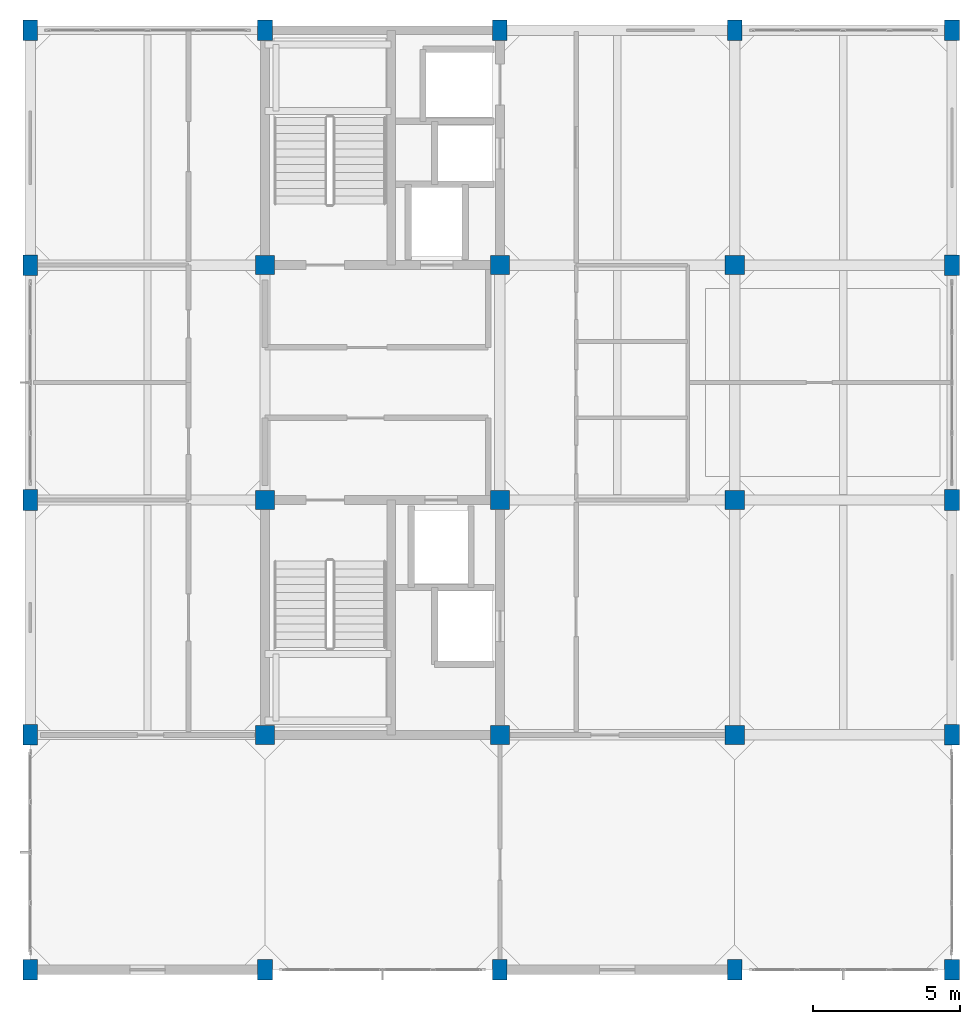
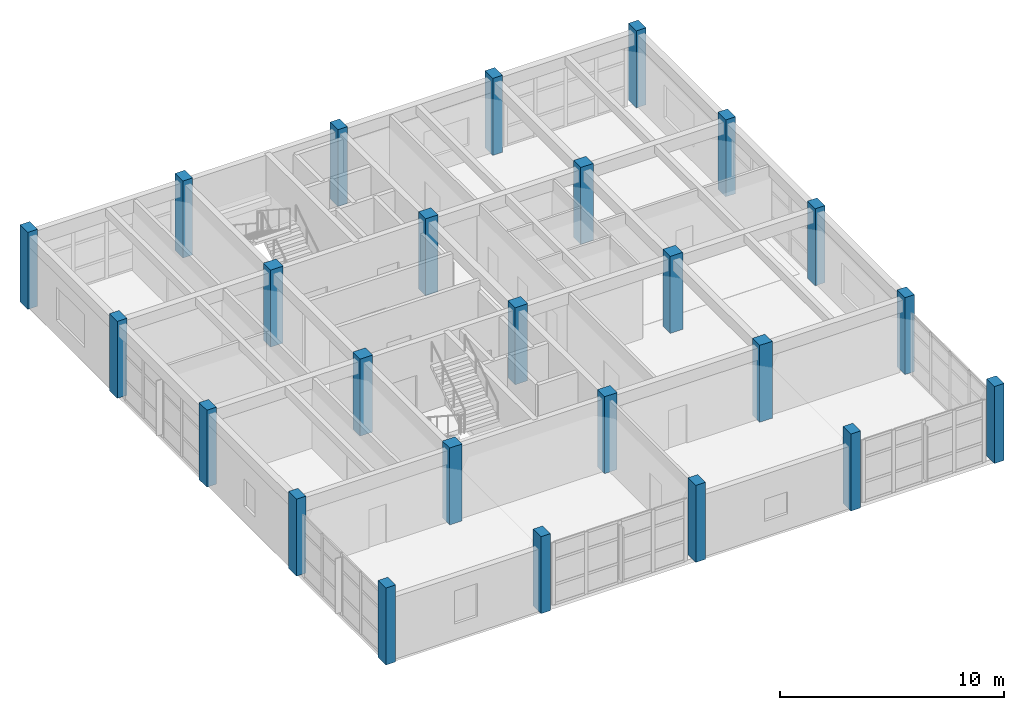
# One storey, part 1 of 18: 25 columns.
"""IFC4 building model written with IfcOpenShell, lengths in metres."""

from ifc_helpers import new_model, si_unit, direction, frame, origin, origin_2d, place, context, subcontext, project, spatial, rectangle, extrude, material, material_profile, profile_set, type_object, element, save


model = new_model("IFC4")

# Units and contexts
model_context = context("Model", 3, precision=1e-05, world=origin(), true_north=direction((0.0, 1.0)))
body_context = subcontext(model_context, "Body", "Model", "MODEL_VIEW")
ifc_project = project(units=[si_unit("LENGTHUNIT", "METRE"), si_unit("AREAUNIT", "SQUARE_METRE"), si_unit("VOLUMEUNIT", "CUBIC_METRE"), si_unit("PLANEANGLEUNIT", "RADIAN"), si_unit("MASSUNIT", "GRAM", prefix="KILO")], contexts=[model_context])

# Site, building, storey
site_placement = place(None, origin())
site = spatial("IfcSite", under=ifc_project, at=site_placement, CompositionType="ELEMENT")
building_placement = place(site_placement, origin())
building = spatial("IfcBuilding", under=site, at=building_placement, Name="Canggui Botanical Conservatory", CompositionType="ELEMENT")
storey_placement = place(building_placement, frame((0.0, 0.0, 52.800048828125)))
storey = spatial("IfcBuildingStorey", under=building, at=storey_placement, Name="L13", CompositionType="ELEMENT", Elevation=52.800048828125)

# Columns
ifc_material = material(Name="Concrete C35", Category="concrete")
ifc_material_profile_1 = material_profile(ifc_material, rectangle(XDim=0.64990234375, YDim=0.64990234375, at=origin_2d()), Name="RC 650x650")
ifc_profile_set_1 = profile_set([ifc_material_profile_1], Name="Concrete C35")
column_type_1 = type_object("IfcColumnType", Name="COL-KZ10", PredefinedType="COLUMN", material=ifc_profile_set_1)
for number, where, z_axis, x_axis, name in (
    (1, (154.0, 42.0, 0.0), (0.0, 0.0, 1.0), (1.0, 0.0, 0.0), "Tower RC Column L13 (154,42)"),
    (2, (154.0, 50.0, 0.0), (0.0, 0.0, 1.0), (1.0, 0.0, 0.0), "Tower RC Column L13 (154,50)"),
    (3, (154.0, 58.0, 0.0), (0.0, 0.0, 1.0), (1.0, 0.0, 0.0), "Tower RC Column L13 (154,58)"),
    (4, (162.0, 42.0, 0.0), (0.0, 0.0, 1.0), (1.0, 0.0, 0.0), "Tower RC Column L13 (162,42)"),
    (5, (162.0, 50.0, 0.0), (0.0, 0.0, 1.0), (1.0, 0.0, 0.0), "Tower RC Column L13 (162,50)"),
    (6, (162.0, 58.0, 0.0), (0.0, 0.0, 1.0), (1.0, 0.0, 0.0), "Tower RC Column L13 (162,58)"),
    (7, (170.0, 42.0, 0.0), (0.0, 0.0, 1.0), (1.0, 0.0, 0.0), "Tower RC Column L13 (170,42)"),
    (8, (170.0, 50.0, 0.0), (0.0, 0.0, 1.0), (1.0, 0.0, 0.0), "Tower RC Column L13 (170,50)"),
    (9, (170.0, 58.0, 0.0), (0.0, 0.0, 1.0), (1.0, 0.0, 0.0), "Tower RC Column L13 (170,58)"),
):
    element("IfcColumn", number, at=place(storey_placement, frame(where, z_axis=z_axis, x_axis=x_axis)), inside=storey, type_object=column_type_1, Name=name, PredefinedType="COLUMN", context=body_context, shape_type="SweptSolid", body=[
        extrude(rectangle(XDim=0.64990234375, YDim=0.64990234375, at=origin_2d()), origin(), (0.0, 0.0, 1.0), 4.199951171875),
    ])
ifc_material_profile_2 = material_profile(ifc_material, rectangle(XDim=0.5, YDim=0.699951171875, at=origin_2d()), Name="RC 500x700")
ifc_profile_set_2 = profile_set([ifc_material_profile_2], Name="Concrete C35")
column_type_2 = type_object("IfcColumnType", Name="COL-KZ18", PredefinedType="COLUMN", material=ifc_profile_set_2)
for number, where, z_axis, x_axis, name in (
    (10, (146.0, 34.0, 0.0), (0.0, 0.0, 1.0), (1.0, 0.0, 0.0), "Tower RC Column L13 (146,34)"),
    (11, (146.0, 42.0, 0.0), (0.0, 0.0, 1.0), (1.0, 0.0, 0.0), "Tower RC Column L13 (146,42)"),
    (12, (146.0, 50.0, 0.0), (0.0, 0.0, 1.0), (1.0, 0.0, 0.0), "Tower RC Column L13 (146,50)"),
    (13, (146.0, 58.0, 0.0), (0.0, 0.0, 1.0), (1.0, 0.0, 0.0), "Tower RC Column L13 (146,58)"),
    (14, (146.0, 66.0, 0.0), (0.0, 0.0, 1.0), (1.0, 0.0, 0.0), "Tower RC Column L13 (146,66)"),
    (15, (154.0, 34.0, 0.0), (0.0, 0.0, 1.0), (1.0, 0.0, 0.0), "Tower RC Column L13 (154,34)"),
    (16, (154.0, 66.0, 0.0), (0.0, 0.0, 1.0), (1.0, 0.0, 0.0), "Tower RC Column L13 (154,66)"),
    (17, (162.0, 34.0, 0.0), (0.0, 0.0, 1.0), (1.0, 0.0, 0.0), "Tower RC Column L13 (162,34)"),
    (18, (162.0, 66.0, 0.0), (0.0, 0.0, 1.0), (1.0, 0.0, 0.0), "Tower RC Column L13 (162,66)"),
    (19, (170.0, 34.0, 0.0), (0.0, 0.0, 1.0), (1.0, 0.0, 0.0), "Tower RC Column L13 (170,34)"),
    (20, (170.0, 66.0, 0.0), (0.0, 0.0, 1.0), (1.0, 0.0, 0.0), "Tower RC Column L13 (170,66)"),
    (21, (177.39990234375, 34.0, 0.0), (0.0, 0.0, 1.0), (1.0, 0.0, 0.0), "Tower RC Column L13 (178,34)"),
    (22, (177.39990234375, 42.0, 0.0), (0.0, 0.0, 1.0), (1.0, 0.0, 0.0), "Tower RC Column L13 (178,42)"),
    (23, (177.39990234375, 50.0, 0.0), (0.0, 0.0, 1.0), (1.0, 0.0, 0.0), "Tower RC Column L13 (178,50)"),
    (24, (177.39990234375, 58.0, 0.0), (0.0, 0.0, 1.0), (1.0, 0.0, 0.0), "Tower RC Column L13 (178,58)"),
    (25, (177.39990234375, 66.0, 0.0), (0.0, 0.0, 1.0), (1.0, 0.0, 0.0), "Tower RC Column L13 (178,66)"),
):
    element("IfcColumn", number, at=place(storey_placement, frame(where, z_axis=z_axis, x_axis=x_axis)), inside=storey, type_object=column_type_2, Name=name, PredefinedType="COLUMN", context=body_context, shape_type="SweptSolid", body=[
        extrude(rectangle(XDim=0.5, YDim=0.699951171875, at=origin_2d()), origin(), (0.0, 0.0, 1.0), 4.199951171875),
    ])

save(model, "model.ifc")
